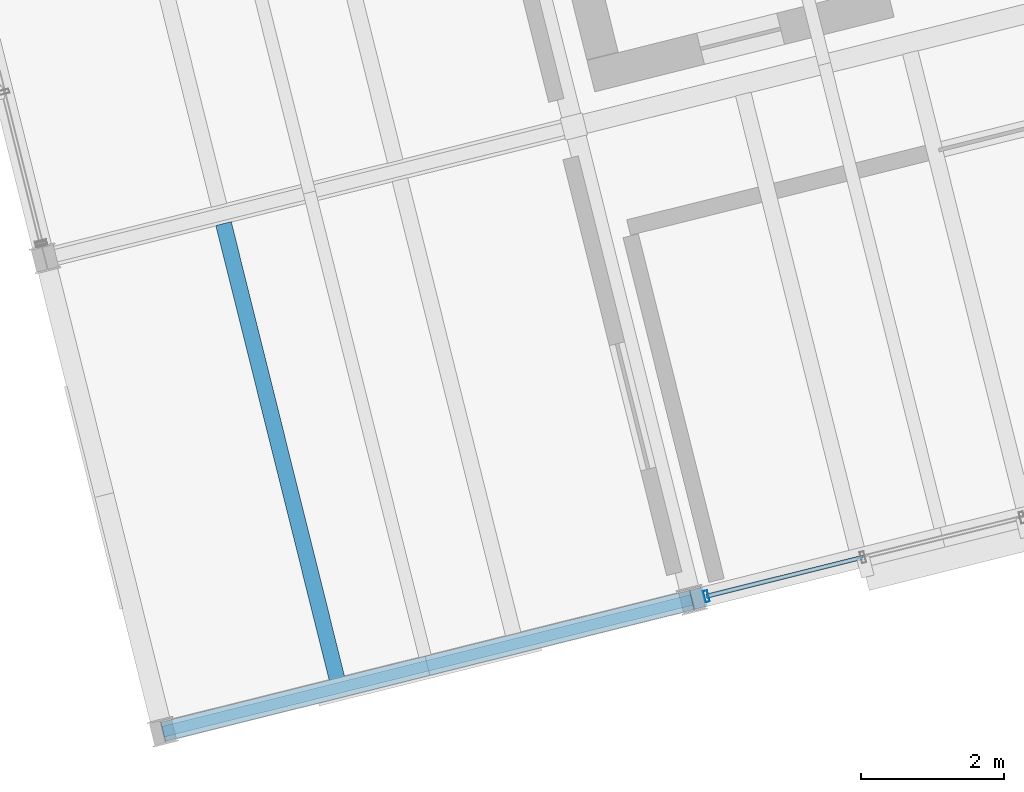
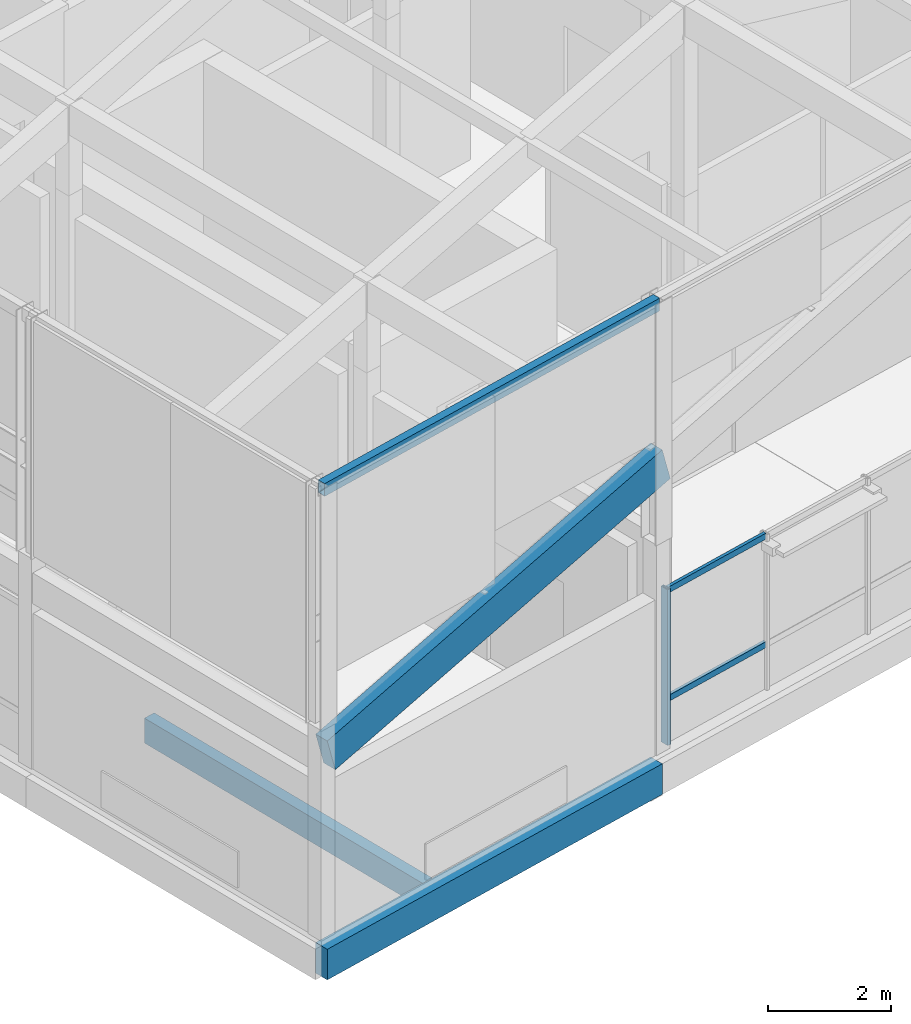
# One storey, part 4 of 31: 4 beams, 3 members, 1 element without a shape of its own.
"""IFC4 building model written with IfcOpenShell, lengths in metres."""

from ifc_helpers import new_model, si_unit, direction, frame, origin, origin_2d, place, context, subcontext, project, spatial, rectangle, hollow_rectangle, extrude, material, layer, layer_set, material_profile, profile_set, type_object, element, aggregate, save


model = new_model("IFC4")

# Units and contexts
model_context = context("Model", 3, precision=1e-05, world=origin(), true_north=direction((0.0, 1.0)))
body_context = subcontext(model_context, "Body", "Model", "MODEL_VIEW")
ifc_project = project(units=[si_unit("LENGTHUNIT", "METRE"), si_unit("AREAUNIT", "SQUARE_METRE"), si_unit("VOLUMEUNIT", "CUBIC_METRE"), si_unit("PLANEANGLEUNIT", "RADIAN"), si_unit("MASSUNIT", "GRAM", prefix="KILO")], contexts=[model_context])

# Site, building, storey
site_placement = place(None, origin())
site = spatial("IfcSite", under=ifc_project, at=site_placement, CompositionType="ELEMENT")
building_placement = place(site_placement, origin())
building = spatial("IfcBuilding", under=site, at=building_placement, Name="Meriwether Solvik Hall", CompositionType="ELEMENT")
storey_placement = place(building_placement, frame((0.0, 0.0, 61.199951171875)))
storey = spatial("IfcBuildingStorey", under=building, at=storey_placement, Name="L15", CompositionType="ELEMENT", Elevation=61.199951171875)

# Beams
ifc_material_1 = material(Name="Glulam Douglas-Fir 24F-V8 GL28h", Category="wood")
ifc_material_profile_1 = material_profile(ifc_material_1, rectangle(XDim=0.27294921875, YDim=0.610107421875, at=origin_2d()), Name="GLB-273X610")
ifc_profile_set_1 = profile_set([ifc_material_profile_1], Name="Glulam Douglas-Fir 24F-V8 GL28h")
beam_type_1 = type_object("IfcBeamType", Name="BM-GL-273X610", PredefinedType="SPANDREL", material=ifc_profile_set_1)
beam_1_placement = place(storey_placement, frame((68.60009765625, 41.199951171875, -0.550048828125), z_axis=(0.970295366785, 0.241923337436, 0.0), x_axis=(-0.241923337436, 0.970295366785, 0.0)))
element("IfcBeam", 1, at=beam_1_placement, inside=storey, type_object=beam_type_1, Name="Tower Girder TA:T1-T2 (L15)", PredefinedType="SPANDREL", context=body_context, shape_type="SweptSolid", body=[
    extrude(rectangle(XDim=0.27294921875, YDim=0.610107421875, at=origin_2d()), origin(), (0.0, 0.0, 1.0), 7.60009765625),
])
ifc_material_2 = material(Name="Glulam Douglas-Fir 24F-V8 GL28h", Category="wood")
ifc_material_profile_2 = material_profile(ifc_material_2, rectangle(XDim=0.27294921875, YDim=0.68505859375, at=origin_2d()), Name="GLB-273X685")
ifc_profile_set_2 = profile_set([ifc_material_profile_2], Name="Glulam Douglas-Fir 24F-V8 GL28h")
beam_type_2 = type_object("IfcBeamType", Name="BM-GL-273X685", PredefinedType="BEAM", material=ifc_profile_set_2)
beam_2_placement = place(storey_placement, frame((68.688720703125, 41.22216796875, 3.573974609375), z_axis=(0.935075971335, 0.233142100319, 0.266978817308), x_axis=(-0.241923337436, 0.970295366785, 0.0)))
element("IfcBeam", 2, at=beam_2_placement, inside=storey, type_object=beam_type_2, Name="Sloped Roof Rafter TA:T1-T2", PredefinedType="BEAM", context=body_context, shape_type="SweptSolid", body=[
    extrude(rectangle(XDim=0.27294921875, YDim=0.68505859375, at=origin_2d()), origin(), (0.0, 0.0, 1.0), 7.88623046875),
])
ifc_material_3 = material(Name="Steel A500 Grade C", Category="steel")
ifc_material_profile_3 = material_profile(ifc_material_3, hollow_rectangle(XDim=0.152099609375, YDim=0.25390625, WallThickness=0.009521484375, at=origin_2d()), Name="HSS254X152X9.5")
ifc_profile_set_3 = profile_set([ifc_material_profile_3], Name="Steel A500 Grade C")
beam_type_3 = type_object("IfcBeamType", Name="BM-STL-HSS254", PredefinedType="SPANDREL", material=ifc_profile_set_3)
beam_3_placement = place(storey_placement, frame((68.60009765625, 41.199951171875, 8.873046875), z_axis=(0.970295366785, 0.241923337436, 0.0), x_axis=(-0.241923337436, 0.970295366785, 0.0)))
element("IfcBeam", 3, at=beam_3_placement, inside=storey, type_object=beam_type_3, Name="Crown Cap Ring Beam T1TA-T2TA", PredefinedType="SPANDREL", context=body_context, shape_type="SweptSolid", body=[
    extrude(hollow_rectangle(XDim=0.152099609375, YDim=0.25390625, WallThickness=0.009521484375, at=origin_2d()), origin(), (0.0, 0.0, 1.0), 7.60009765625),
])

# Curtain wall, members
ifc_material_4 = material(Name="Thermally Broken Anodised Aluminium 6063-T6 and Low-E Glass", Category="aluminium")
ifc_layer = layer(ifc_material_4, 0.179931640625)
ifc_layer_set = layer_set([ifc_layer], Name="Thermally Broken Anodised Aluminium 6063-T6 and Low-E Glass")
curtain_wall_type = type_object("IfcCurtainWallType", Name="CW-UNIT-G", PredefinedType="USERDEFINED", material=ifc_layer_set)
curtain_wall_placement = place(storey_placement, origin())
curtain_wall = element("IfcCurtainWall", 4, at=curtain_wall_placement, inside=storey, type_object=curtain_wall_type, Name="Curtain Wall E0_B1 (L15)", ObjectType="UNITISED CURTAIN WALL", PredefinedType="USERDEFINED")
ifc_material_5 = material(Name="Anodised Aluminium 6063-T6", Category="aluminium")
ifc_material_profile_4 = material_profile(ifc_material_5, hollow_rectangle(XDim=0.06005859375, YDim=0.159912109375, WallThickness=0.00390625, at=origin_2d()), Name="CWM-60X160")
ifc_profile_set_4 = profile_set([ifc_material_profile_4], Name="Anodised Aluminium 6063-T6")
member_type_1 = type_object("IfcMemberType", Name="CW-MUL-60X160", PredefinedType="MULLION", material=ifc_profile_set_4)
member_1_placement = place(storey_placement, frame((76.175537109375, 43.0888671875, 0.0), z_axis=(0.0, 0.0, 1.0), x_axis=(-0.970295730764, -0.241921877598, 0.0)))
member_1 = element("IfcMember", 5, at=member_1_placement, type_object=member_type_1, Name="Curtain Wall Mullion 4", PredefinedType="MULLION", context=body_context, shape_type="SweptSolid", body=[
    extrude(hollow_rectangle(XDim=0.06005859375, YDim=0.159912109375, WallThickness=0.00390625, at=origin_2d()), origin(), (0.0, 0.0, 1.0), 3.10205078125),
])
ifc_material_6 = material(Name="Anodised Aluminium 6063-T6", Category="aluminium")
ifc_material_profile_5 = material_profile(ifc_material_6, hollow_rectangle(XDim=0.06005859375, YDim=0.1201171875, WallThickness=0.00390625, at=origin_2d()), Name="CWT-60X120")
ifc_profile_set_5 = profile_set([ifc_material_profile_5], Name="Anodised Aluminium 6063-T6")
member_type_2 = type_object("IfcMemberType", Name="CW-TRN-60X120", PredefinedType="USERDEFINED", material=ifc_profile_set_5)
member_2_placement = place(storey_placement, frame((78.357666015625, 43.6328125, 0.880126953125), z_axis=(-0.970308305597, -0.241871437108, 0.0), x_axis=(0.241871437108, -0.970308305597, 0.0)))
member_2 = element("IfcMember", 6, at=member_2_placement, type_object=member_type_2, Name="Curtain Wall Transom 3-sill", ObjectType="TRANSOM", PredefinedType="USERDEFINED", context=body_context, shape_type="SweptSolid", body=[
    extrude(hollow_rectangle(XDim=0.06005859375, YDim=0.1201171875, WallThickness=0.00390625, at=origin_2d()), origin(), (0.0, 0.0, 1.0), 2.2490234375),
])
member_3_placement = place(storey_placement, frame((78.357666015625, 43.6328125, 3.0419921875), z_axis=(-0.970308305597, -0.241871437108, 0.0), x_axis=(0.241871437108, -0.970308305597, 0.0)))
member_3 = element("IfcMember", 7, at=member_3_placement, type_object=member_type_2, Name="Curtain Wall Transom 3-head", ObjectType="TRANSOM", PredefinedType="USERDEFINED", context=body_context, shape_type="SweptSolid", body=[
    extrude(hollow_rectangle(XDim=0.06005859375, YDim=0.1201171875, WallThickness=0.00390625, at=origin_2d()), origin(), (0.0, 0.0, 1.0), 2.2490234375),
])
aggregate(curtain_wall, [member_1, member_2, member_3])

# Beam
ifc_material_7 = material(Name="Glulam Douglas-Fir 24F-V8 GL28h", Category="wood")
ifc_material_profile_6 = material_profile(ifc_material_7, rectangle(XDim=0.221923828125, YDim=0.4951171875, at=origin_2d()), Name="GLJ-222X495")
ifc_profile_set_6 = profile_set([ifc_material_profile_6], Name="Glulam Douglas-Fir 24F-V8 GL28h")
beam_type_4 = type_object("IfcBeamType", Name="JST-GL-222X495", PredefinedType="JOIST", material=ifc_profile_set_6)
beam_4_placement = place(storey_placement, frame((71.026123046875, 41.9404296875, -0.492431640625), z_axis=(-0.241902854765, 0.970300473491, 0.0), x_axis=(-0.970300473491, -0.241902854765, 0.0)))
element("IfcBeam", 8, at=beam_4_placement, inside=storey, type_object=beam_type_4, Name="Glulam Floor Joist T1/TA-J1 (L15)", PredefinedType="JOIST", context=body_context, shape_type="SweptSolid", body=[
    extrude(rectangle(XDim=0.221923828125, YDim=0.4951171875, at=origin_2d()), origin(), (0.0, 0.0, 1.0), 6.536865234375),
])

save(model, "model.ifc")
